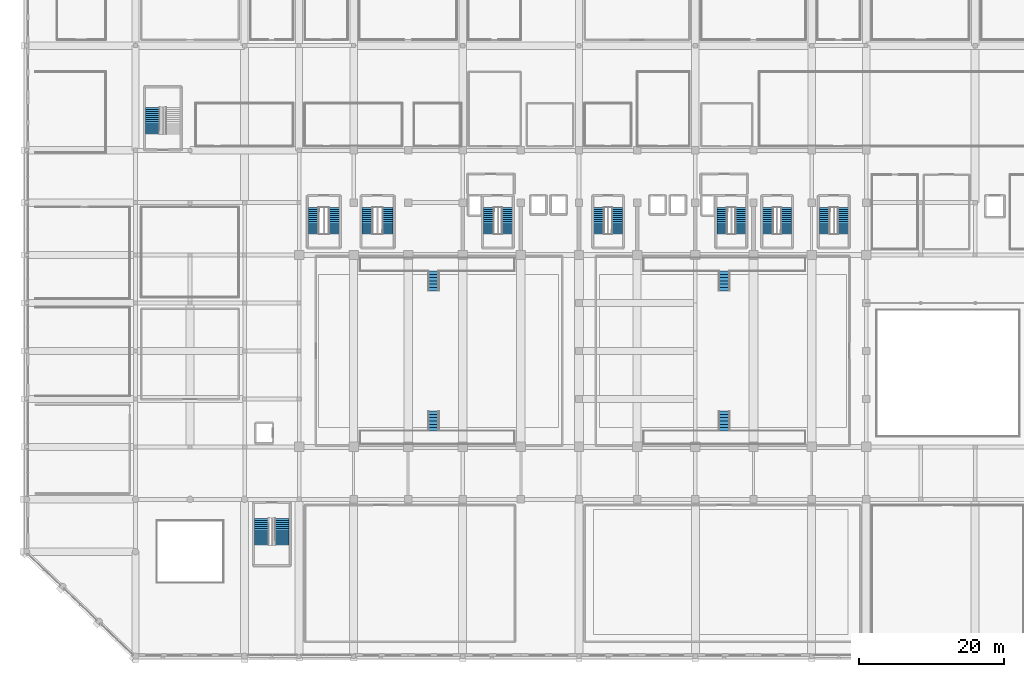
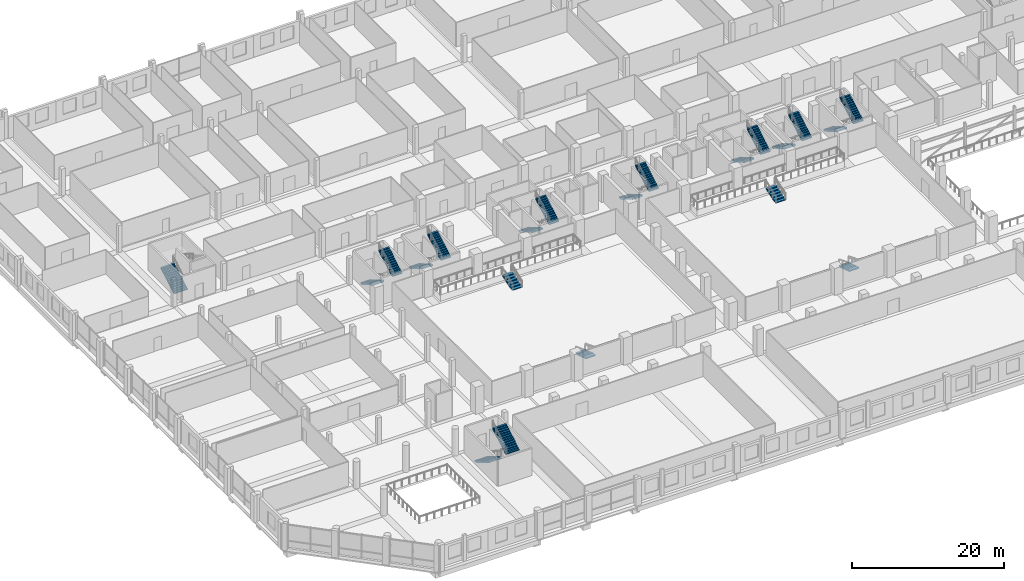
# One storey, part 56 of 68: 21 stair flights, 13 elements without a shape of their own.
"""IFC4 building model written with IfcOpenShell, lengths in metres."""

from ifc_helpers import new_model, si_unit, direction, frame, origin, place, context, subcontext, project, spatial, polyline, outline, extrude, material, type_object, element, aggregate, save


model = new_model("IFC4")

# Units and contexts
model_context = context("Model", 3, precision=1e-05, world=origin(), true_north=direction((0.0, 1.0)))
body_context = subcontext(model_context, "Body", "Model", "MODEL_VIEW")
ifc_project = project(units=[si_unit("LENGTHUNIT", "METRE"), si_unit("AREAUNIT", "SQUARE_METRE"), si_unit("VOLUMEUNIT", "CUBIC_METRE"), si_unit("PLANEANGLEUNIT", "RADIAN"), si_unit("MASSUNIT", "GRAM", prefix="KILO")], contexts=[model_context])

# Site, building, storey
site_placement = place(None, origin())
site = spatial("IfcSite", under=ifc_project, at=site_placement, CompositionType="ELEMENT")
building_placement = place(site_placement, origin())
building = spatial("IfcBuilding", under=site, at=building_placement, Name="Akrevak Sports Hall", CompositionType="ELEMENT")
storey_placement = place(building_placement, frame((0.0, 0.0, 9.39990234375)))
storey = spatial("IfcBuildingStorey", under=building, at=storey_placement, Name="L02", CompositionType="ELEMENT", Elevation=9.39990234375)

# Stair, stair flights
ifc_material = material(Name="Concrete C40/50", Category="concrete")
stair_type_1 = type_object("IfcStairType", Name="ARC-STR-DOG-460", PredefinedType="HALF_TURN_STAIR", material=ifc_material)
stair_1_placement = place(storey_placement, origin())
stair_1 = element("IfcStair", 1, at=stair_1_placement, inside=storey, type_object=stair_type_1, Name="Protected Exit Stair ST1 (L02 to L03)", PredefinedType="HALF_TURN_STAIR")
stair_flight_type_1 = type_object("IfcStairFlightType", Name="ARC-FLT-165-164", PredefinedType="STRAIGHT", material=ifc_material)
stair_flight_1_placement = place(storey_placement, frame((63.610107421875, 61.735107421875, 0.0), z_axis=(0.0, 0.0, 1.0), x_axis=(0.0, -1.0, 0.0)))
stair_flight_1 = element("IfcStairFlight", 2, at=stair_flight_1_placement, type_object=stair_flight_type_1, Name="Stair ST1 Flight 1 (L02)", NumberOfRisers=14, NumberOfTreads=13, PredefinedType="STRAIGHT", RiserHeight=0.164286, TreadLength=0.28, context=body_context, shape_type="SweptSolid", body=[
    extrude(outline(polyline([(0.0, 0.0), (0.0, 0.164306640625), (0.280029296875, 0.164306640625), (0.280029296875, 0.32861328125), (0.56005859375, 0.32861328125), (0.56005859375, 0.492919921875), (0.840087890625, 0.492919921875), (0.840087890625, 0.6572265625), (1.1201171875, 0.6572265625), (1.1201171875, 0.821533203125), (1.39990234375, 0.821533203125), (1.39990234375, 0.985595703125), (1.679931640625, 0.985595703125), (1.679931640625, 1.14990234375), (1.9599609375, 1.14990234375), (1.9599609375, 1.314208984375), (2.239990234375, 1.314208984375), (2.239990234375, 1.478515625), (2.52001953125, 1.478515625), (2.52001953125, 1.642822265625), (2.800048828125, 1.642822265625), (2.800048828125, 1.80712890625), (3.080078125, 1.80712890625), (3.080078125, 1.971435546875), (3.360107421875, 1.971435546875), (3.360107421875, 2.1357421875), (3.639892578125, 2.1357421875), (3.639892578125, 2.300048828125), (3.639892578125, 1.90380859375), (0.39501953125, 0.0), (0.0, 0.0)])), frame((0.0, 0.75, 0.0), z_axis=(0.0, -1.0, 0.0), x_axis=(1.0, 0.0, 0.0)), (0.0, 0.0, 1.0), 1.5),
])
stair_flight_2_placement = place(storey_placement, frame((66.090087890625, 58.094970703125, 2.300048828125), z_axis=(0.0, 0.0, 1.0), x_axis=(0.0, 1.0, 0.0)))
stair_flight_2 = element("IfcStairFlight", 3, at=stair_flight_2_placement, type_object=stair_flight_type_1, Name="Stair ST1 Flight 2 (L02)", NumberOfRisers=14, NumberOfTreads=13, PredefinedType="STRAIGHT", RiserHeight=0.164286, TreadLength=0.28, context=body_context, shape_type="SweptSolid", body=[
    extrude(outline(polyline([(0.0, 0.0), (0.0, 0.164306640625), (0.280029296875, 0.164306640625), (0.280029296875, 0.32861328125), (0.56005859375, 0.32861328125), (0.56005859375, 0.492919921875), (0.840087890625, 0.492919921875), (0.840087890625, 0.6572265625), (1.1201171875, 0.6572265625), (1.1201171875, 0.821533203125), (1.39990234375, 0.821533203125), (1.39990234375, 0.985595703125), (1.679931640625, 0.985595703125), (1.679931640625, 1.14990234375), (1.9599609375, 1.14990234375), (1.9599609375, 1.314208984375), (2.239990234375, 1.314208984375), (2.239990234375, 1.478515625), (2.52001953125, 1.478515625), (2.52001953125, 1.642822265625), (2.800048828125, 1.642822265625), (2.800048828125, 1.80712890625), (3.080078125, 1.80712890625), (3.080078125, 1.971435546875), (3.360107421875, 1.971435546875), (3.360107421875, 2.1357421875), (3.639892578125, 2.1357421875), (3.639892578125, 2.300048828125), (3.639892578125, 1.90380859375), (0.39501953125, 0.0), (0.0, 0.0)])), frame((0.0, 0.75, 0.0), z_axis=(0.0, -1.0, 0.0), x_axis=(1.0, 0.0, 0.0)), (0.0, 0.0, 1.0), 1.5),
])
aggregate(stair_1, [stair_flight_1, stair_flight_2])

stair_2_placement = place(storey_placement, origin())
stair_2 = element("IfcStair", 4, at=stair_2_placement, inside=storey, type_object=stair_type_1, Name="Protected Exit Stair ST2 (L02 to L03)", PredefinedType="HALF_TURN_STAIR")
stair_flight_3_placement = place(storey_placement, frame((95.7099609375, 61.735107421875, 0.0), z_axis=(0.0, 0.0, 1.0), x_axis=(0.0, -1.0, 0.0)))
stair_flight_3 = element("IfcStairFlight", 5, at=stair_flight_3_placement, type_object=stair_flight_type_1, Name="Stair ST2 Flight 1 (L02)", NumberOfRisers=14, NumberOfTreads=13, PredefinedType="STRAIGHT", RiserHeight=0.164286, TreadLength=0.28, context=body_context, shape_type="SweptSolid", body=[
    extrude(outline(polyline([(0.0, 0.0), (0.0, 0.164306640625), (0.280029296875, 0.164306640625), (0.280029296875, 0.32861328125), (0.56005859375, 0.32861328125), (0.56005859375, 0.492919921875), (0.840087890625, 0.492919921875), (0.840087890625, 0.6572265625), (1.1201171875, 0.6572265625), (1.1201171875, 0.821533203125), (1.39990234375, 0.821533203125), (1.39990234375, 0.985595703125), (1.679931640625, 0.985595703125), (1.679931640625, 1.14990234375), (1.9599609375, 1.14990234375), (1.9599609375, 1.314208984375), (2.239990234375, 1.314208984375), (2.239990234375, 1.478515625), (2.52001953125, 1.478515625), (2.52001953125, 1.642822265625), (2.800048828125, 1.642822265625), (2.800048828125, 1.80712890625), (3.080078125, 1.80712890625), (3.080078125, 1.971435546875), (3.360107421875, 1.971435546875), (3.360107421875, 2.1357421875), (3.639892578125, 2.1357421875), (3.639892578125, 2.300048828125), (3.639892578125, 1.90380859375), (0.39501953125, 0.0), (0.0, 0.0)])), frame((0.0, 0.75, 0.0), z_axis=(0.0, -1.0, 0.0), x_axis=(1.0, 0.0, 0.0)), (0.0, 0.0, 1.0), 1.5),
])
stair_flight_4_placement = place(storey_placement, frame((98.18994140625, 58.094970703125, 2.300048828125), z_axis=(0.0, 0.0, 1.0), x_axis=(0.0, 1.0, 0.0)))
stair_flight_4 = element("IfcStairFlight", 6, at=stair_flight_4_placement, type_object=stair_flight_type_1, Name="Stair ST2 Flight 2 (L02)", NumberOfRisers=14, NumberOfTreads=13, PredefinedType="STRAIGHT", RiserHeight=0.164286, TreadLength=0.28, context=body_context, shape_type="SweptSolid", body=[
    extrude(outline(polyline([(0.0, 0.0), (0.0, 0.164306640625), (0.280029296875, 0.164306640625), (0.280029296875, 0.32861328125), (0.56005859375, 0.32861328125), (0.56005859375, 0.492919921875), (0.840087890625, 0.492919921875), (0.840087890625, 0.6572265625), (1.1201171875, 0.6572265625), (1.1201171875, 0.821533203125), (1.39990234375, 0.821533203125), (1.39990234375, 0.985595703125), (1.679931640625, 0.985595703125), (1.679931640625, 1.14990234375), (1.9599609375, 1.14990234375), (1.9599609375, 1.314208984375), (2.239990234375, 1.314208984375), (2.239990234375, 1.478515625), (2.52001953125, 1.478515625), (2.52001953125, 1.642822265625), (2.800048828125, 1.642822265625), (2.800048828125, 1.80712890625), (3.080078125, 1.80712890625), (3.080078125, 1.971435546875), (3.360107421875, 1.971435546875), (3.360107421875, 2.1357421875), (3.639892578125, 2.1357421875), (3.639892578125, 2.300048828125), (3.639892578125, 1.90380859375), (0.39501953125, 0.0), (0.0, 0.0)])), frame((0.0, 0.75, 0.0), z_axis=(0.0, -1.0, 0.0), x_axis=(1.0, 0.0, 0.0)), (0.0, 0.0, 1.0), 1.5),
])
aggregate(stair_2, [stair_flight_3, stair_flight_4])

stair_3_placement = place(storey_placement, origin())
stair_3 = element("IfcStair", 7, at=stair_3_placement, inside=storey, type_object=stair_type_1, Name="Protected Exit Stair ST3 (L02 to L03)", PredefinedType="HALF_TURN_STAIR")
stair_flight_5_placement = place(storey_placement, frame((78.760009765625, 61.735107421875, 0.0), z_axis=(0.0, 0.0, 1.0), x_axis=(0.0, -1.0, 0.0)))
stair_flight_5 = element("IfcStairFlight", 8, at=stair_flight_5_placement, type_object=stair_flight_type_1, Name="Stair ST3 Flight 1 (L02)", NumberOfRisers=14, NumberOfTreads=13, PredefinedType="STRAIGHT", RiserHeight=0.164286, TreadLength=0.28, context=body_context, shape_type="SweptSolid", body=[
    extrude(outline(polyline([(0.0, 0.0), (0.0, 0.164306640625), (0.280029296875, 0.164306640625), (0.280029296875, 0.32861328125), (0.56005859375, 0.32861328125), (0.56005859375, 0.492919921875), (0.840087890625, 0.492919921875), (0.840087890625, 0.6572265625), (1.1201171875, 0.6572265625), (1.1201171875, 0.821533203125), (1.39990234375, 0.821533203125), (1.39990234375, 0.985595703125), (1.679931640625, 0.985595703125), (1.679931640625, 1.14990234375), (1.9599609375, 1.14990234375), (1.9599609375, 1.314208984375), (2.239990234375, 1.314208984375), (2.239990234375, 1.478515625), (2.52001953125, 1.478515625), (2.52001953125, 1.642822265625), (2.800048828125, 1.642822265625), (2.800048828125, 1.80712890625), (3.080078125, 1.80712890625), (3.080078125, 1.971435546875), (3.360107421875, 1.971435546875), (3.360107421875, 2.1357421875), (3.639892578125, 2.1357421875), (3.639892578125, 2.300048828125), (3.639892578125, 1.90380859375), (0.39501953125, 0.0), (0.0, 0.0)])), frame((0.0, 0.75, 0.0), z_axis=(0.0, -1.0, 0.0), x_axis=(1.0, 0.0, 0.0)), (0.0, 0.0, 1.0), 1.5),
])
stair_flight_6_placement = place(storey_placement, frame((81.239990234375, 58.094970703125, 2.300048828125), z_axis=(0.0, 0.0, 1.0), x_axis=(0.0, 1.0, 0.0)))
stair_flight_6 = element("IfcStairFlight", 9, at=stair_flight_6_placement, type_object=stair_flight_type_1, Name="Stair ST3 Flight 2 (L02)", NumberOfRisers=14, NumberOfTreads=13, PredefinedType="STRAIGHT", RiserHeight=0.164286, TreadLength=0.28, context=body_context, shape_type="SweptSolid", body=[
    extrude(outline(polyline([(0.0, 0.0), (0.0, 0.164306640625), (0.280029296875, 0.164306640625), (0.280029296875, 0.32861328125), (0.56005859375, 0.32861328125), (0.56005859375, 0.492919921875), (0.840087890625, 0.492919921875), (0.840087890625, 0.6572265625), (1.1201171875, 0.6572265625), (1.1201171875, 0.821533203125), (1.39990234375, 0.821533203125), (1.39990234375, 0.985595703125), (1.679931640625, 0.985595703125), (1.679931640625, 1.14990234375), (1.9599609375, 1.14990234375), (1.9599609375, 1.314208984375), (2.239990234375, 1.314208984375), (2.239990234375, 1.478515625), (2.52001953125, 1.478515625), (2.52001953125, 1.642822265625), (2.800048828125, 1.642822265625), (2.800048828125, 1.80712890625), (3.080078125, 1.80712890625), (3.080078125, 1.971435546875), (3.360107421875, 1.971435546875), (3.360107421875, 2.1357421875), (3.639892578125, 2.1357421875), (3.639892578125, 2.300048828125), (3.639892578125, 1.90380859375), (0.39501953125, 0.0), (0.0, 0.0)])), frame((0.0, 0.75, 0.0), z_axis=(0.0, -1.0, 0.0), x_axis=(1.0, 0.0, 0.0)), (0.0, 0.0, 1.0), 1.5),
])
aggregate(stair_3, [stair_flight_5, stair_flight_6])

stair_4_placement = place(storey_placement, origin())
stair_4 = element("IfcStair", 10, at=stair_4_placement, inside=storey, type_object=stair_type_1, Name="East Wing Exit Stair ST10 (L02 to L03)", PredefinedType="HALF_TURN_STAIR")
stair_flight_7_placement = place(storey_placement, frame((102.010009765625, 61.735107421875, 0.0), z_axis=(0.0, 0.0, 1.0), x_axis=(0.0, -1.0, 0.0)))
stair_flight_7 = element("IfcStairFlight", 11, at=stair_flight_7_placement, type_object=stair_flight_type_1, Name="Stair ST10 Flight 1 (L02)", NumberOfRisers=14, NumberOfTreads=13, PredefinedType="STRAIGHT", RiserHeight=0.164286, TreadLength=0.28, context=body_context, shape_type="SweptSolid", body=[
    extrude(outline(polyline([(0.0, 0.0), (0.0, 0.164306640625), (0.280029296875, 0.164306640625), (0.280029296875, 0.32861328125), (0.56005859375, 0.32861328125), (0.56005859375, 0.492919921875), (0.840087890625, 0.492919921875), (0.840087890625, 0.6572265625), (1.1201171875, 0.6572265625), (1.1201171875, 0.821533203125), (1.39990234375, 0.821533203125), (1.39990234375, 0.985595703125), (1.679931640625, 0.985595703125), (1.679931640625, 1.14990234375), (1.9599609375, 1.14990234375), (1.9599609375, 1.314208984375), (2.239990234375, 1.314208984375), (2.239990234375, 1.478515625), (2.52001953125, 1.478515625), (2.52001953125, 1.642822265625), (2.800048828125, 1.642822265625), (2.800048828125, 1.80712890625), (3.080078125, 1.80712890625), (3.080078125, 1.971435546875), (3.360107421875, 1.971435546875), (3.360107421875, 2.1357421875), (3.639892578125, 2.1357421875), (3.639892578125, 2.300048828125), (3.639892578125, 1.90380859375), (0.39501953125, 0.0), (0.0, 0.0)])), frame((0.0, 0.75, 0.0), z_axis=(0.0, -1.0, 0.0), x_axis=(1.0, 0.0, 0.0)), (0.0, 0.0, 1.0), 1.5),
])
stair_flight_8_placement = place(storey_placement, frame((104.489990234375, 58.094970703125, 2.300048828125), z_axis=(0.0, 0.0, 1.0), x_axis=(0.0, 1.0, 0.0)))
stair_flight_8 = element("IfcStairFlight", 12, at=stair_flight_8_placement, type_object=stair_flight_type_1, Name="Stair ST10 Flight 2 (L02)", NumberOfRisers=14, NumberOfTreads=13, PredefinedType="STRAIGHT", RiserHeight=0.164286, TreadLength=0.28, context=body_context, shape_type="SweptSolid", body=[
    extrude(outline(polyline([(0.0, 0.0), (0.0, 0.164306640625), (0.280029296875, 0.164306640625), (0.280029296875, 0.32861328125), (0.56005859375, 0.32861328125), (0.56005859375, 0.492919921875), (0.840087890625, 0.492919921875), (0.840087890625, 0.6572265625), (1.1201171875, 0.6572265625), (1.1201171875, 0.821533203125), (1.39990234375, 0.821533203125), (1.39990234375, 0.985595703125), (1.679931640625, 0.985595703125), (1.679931640625, 1.14990234375), (1.9599609375, 1.14990234375), (1.9599609375, 1.314208984375), (2.239990234375, 1.314208984375), (2.239990234375, 1.478515625), (2.52001953125, 1.478515625), (2.52001953125, 1.642822265625), (2.800048828125, 1.642822265625), (2.800048828125, 1.80712890625), (3.080078125, 1.80712890625), (3.080078125, 1.971435546875), (3.360107421875, 1.971435546875), (3.360107421875, 2.1357421875), (3.639892578125, 2.1357421875), (3.639892578125, 2.300048828125), (3.639892578125, 1.90380859375), (0.39501953125, 0.0), (0.0, 0.0)])), frame((0.0, 0.75, 0.0), z_axis=(0.0, -1.0, 0.0), x_axis=(1.0, 0.0, 0.0)), (0.0, 0.0, 1.0), 1.5),
])
aggregate(stair_4, [stair_flight_7, stair_flight_8])

stair_5_placement = place(storey_placement, origin())
stair_5 = element("IfcStair", 13, at=stair_5_placement, inside=storey, type_object=stair_type_1, Name="East Transfer Exit Stair ST11 (L02 to L03)", PredefinedType="HALF_TURN_STAIR")
stair_flight_9_placement = place(storey_placement, frame((109.81005859375, 61.735107421875, 0.0), z_axis=(0.0, 0.0, 1.0), x_axis=(0.0, -1.0, 0.0)))
stair_flight_9 = element("IfcStairFlight", 14, at=stair_flight_9_placement, type_object=stair_flight_type_1, Name="Stair ST11 Flight 1 (L02)", NumberOfRisers=14, NumberOfTreads=13, PredefinedType="STRAIGHT", RiserHeight=0.164286, TreadLength=0.28, context=body_context, shape_type="SweptSolid", body=[
    extrude(outline(polyline([(0.0, 0.0), (0.0, 0.164306640625), (0.280029296875, 0.164306640625), (0.280029296875, 0.32861328125), (0.56005859375, 0.32861328125), (0.56005859375, 0.492919921875), (0.840087890625, 0.492919921875), (0.840087890625, 0.6572265625), (1.1201171875, 0.6572265625), (1.1201171875, 0.821533203125), (1.39990234375, 0.821533203125), (1.39990234375, 0.985595703125), (1.679931640625, 0.985595703125), (1.679931640625, 1.14990234375), (1.9599609375, 1.14990234375), (1.9599609375, 1.314208984375), (2.239990234375, 1.314208984375), (2.239990234375, 1.478515625), (2.52001953125, 1.478515625), (2.52001953125, 1.642822265625), (2.800048828125, 1.642822265625), (2.800048828125, 1.80712890625), (3.080078125, 1.80712890625), (3.080078125, 1.971435546875), (3.360107421875, 1.971435546875), (3.360107421875, 2.1357421875), (3.639892578125, 2.1357421875), (3.639892578125, 2.300048828125), (3.639892578125, 1.90380859375), (0.39501953125, 0.0), (0.0, 0.0)])), frame((0.0, 0.75, 0.0), z_axis=(0.0, -1.0, 0.0), x_axis=(1.0, 0.0, 0.0)), (0.0, 0.0, 1.0), 1.5),
])
stair_flight_10_placement = place(storey_placement, frame((112.2900390625, 58.094970703125, 2.300048828125), z_axis=(0.0, 0.0, 1.0), x_axis=(0.0, 1.0, 0.0)))
stair_flight_10 = element("IfcStairFlight", 15, at=stair_flight_10_placement, type_object=stair_flight_type_1, Name="Stair ST11 Flight 2 (L02)", NumberOfRisers=14, NumberOfTreads=13, PredefinedType="STRAIGHT", RiserHeight=0.164286, TreadLength=0.28, context=body_context, shape_type="SweptSolid", body=[
    extrude(outline(polyline([(0.0, 0.0), (0.0, 0.164306640625), (0.280029296875, 0.164306640625), (0.280029296875, 0.32861328125), (0.56005859375, 0.32861328125), (0.56005859375, 0.492919921875), (0.840087890625, 0.492919921875), (0.840087890625, 0.6572265625), (1.1201171875, 0.6572265625), (1.1201171875, 0.821533203125), (1.39990234375, 0.821533203125), (1.39990234375, 0.985595703125), (1.679931640625, 0.985595703125), (1.679931640625, 1.14990234375), (1.9599609375, 1.14990234375), (1.9599609375, 1.314208984375), (2.239990234375, 1.314208984375), (2.239990234375, 1.478515625), (2.52001953125, 1.478515625), (2.52001953125, 1.642822265625), (2.800048828125, 1.642822265625), (2.800048828125, 1.80712890625), (3.080078125, 1.80712890625), (3.080078125, 1.971435546875), (3.360107421875, 1.971435546875), (3.360107421875, 2.1357421875), (3.639892578125, 2.1357421875), (3.639892578125, 2.300048828125), (3.639892578125, 1.90380859375), (0.39501953125, 0.0), (0.0, 0.0)])), frame((0.0, 0.75, 0.0), z_axis=(0.0, -1.0, 0.0), x_axis=(1.0, 0.0, 0.0)), (0.0, 0.0, 1.0), 1.5),
])
aggregate(stair_5, [stair_flight_9, stair_flight_10])

stair_type_2 = type_object("IfcStairType", Name="ARC-STR-MDOG-460", PredefinedType="HALF_TURN_STAIR", material=ifc_material)
stair_6_placement = place(storey_placement, origin())
stair_6 = element("IfcStair", 16, at=stair_6_placement, inside=storey, type_object=stair_type_2, Name="Protected Exit Stair ST4 (L02 to L03)", PredefinedType="HALF_TURN_STAIR")
stair_flight_type_2 = type_object("IfcStairFlightType", Name="ARC-FLT-200-164", PredefinedType="STRAIGHT", material=ifc_material)
stair_flight_11_placement = place(storey_placement, frame((46.9150390625, 61.735107421875, 0.0), z_axis=(0.0, 0.0, 1.0), x_axis=(0.0, -1.0, 0.0)))
stair_flight_11 = element("IfcStairFlight", 17, at=stair_flight_11_placement, type_object=stair_flight_type_2, Name="Stair ST4 Flight 1 (L02)", NumberOfRisers=14, NumberOfTreads=13, PredefinedType="STRAIGHT", RiserHeight=0.164286, TreadLength=0.28, context=body_context, shape_type="SweptSolid", body=[
    extrude(outline(polyline([(0.0, 0.0), (0.0, 0.164306640625), (0.280029296875, 0.164306640625), (0.280029296875, 0.32861328125), (0.56005859375, 0.32861328125), (0.56005859375, 0.492919921875), (0.840087890625, 0.492919921875), (0.840087890625, 0.6572265625), (1.1201171875, 0.6572265625), (1.1201171875, 0.821533203125), (1.39990234375, 0.821533203125), (1.39990234375, 0.985595703125), (1.679931640625, 0.985595703125), (1.679931640625, 1.14990234375), (1.9599609375, 1.14990234375), (1.9599609375, 1.314208984375), (2.239990234375, 1.314208984375), (2.239990234375, 1.478515625), (2.52001953125, 1.478515625), (2.52001953125, 1.642822265625), (2.800048828125, 1.642822265625), (2.800048828125, 1.80712890625), (3.080078125, 1.80712890625), (3.080078125, 1.971435546875), (3.360107421875, 1.971435546875), (3.360107421875, 2.1357421875), (3.639892578125, 2.1357421875), (3.639892578125, 2.300048828125), (3.639892578125, 1.90380859375), (0.39501953125, 0.0), (0.0, 0.0)])), frame((0.0, 0.7548828125, 0.0), z_axis=(0.0, -1.0, 0.0), x_axis=(1.0, 0.0, 0.0)), (0.0, 0.0, 1.0), 1.510009765625),
])
stair_flight_12_placement = place(storey_placement, frame((49.68505859375, 58.094970703125, 2.300048828125), z_axis=(0.0, 0.0, 1.0), x_axis=(0.0, 1.0, 0.0)))
stair_flight_12 = element("IfcStairFlight", 18, at=stair_flight_12_placement, type_object=stair_flight_type_2, Name="Stair ST4 Flight 2 (L02)", NumberOfRisers=14, NumberOfTreads=13, PredefinedType="STRAIGHT", RiserHeight=0.164286, TreadLength=0.28, context=body_context, shape_type="SweptSolid", body=[
    extrude(outline(polyline([(0.0, 0.0), (0.0, 0.164306640625), (0.280029296875, 0.164306640625), (0.280029296875, 0.32861328125), (0.56005859375, 0.32861328125), (0.56005859375, 0.492919921875), (0.840087890625, 0.492919921875), (0.840087890625, 0.6572265625), (1.1201171875, 0.6572265625), (1.1201171875, 0.821533203125), (1.39990234375, 0.821533203125), (1.39990234375, 0.985595703125), (1.679931640625, 0.985595703125), (1.679931640625, 1.14990234375), (1.9599609375, 1.14990234375), (1.9599609375, 1.314208984375), (2.239990234375, 1.314208984375), (2.239990234375, 1.478515625), (2.52001953125, 1.478515625), (2.52001953125, 1.642822265625), (2.800048828125, 1.642822265625), (2.800048828125, 1.80712890625), (3.080078125, 1.80712890625), (3.080078125, 1.971435546875), (3.360107421875, 1.971435546875), (3.360107421875, 2.1357421875), (3.639892578125, 2.1357421875), (3.639892578125, 2.300048828125), (3.639892578125, 1.90380859375), (0.39501953125, 0.0), (0.0, 0.0)])), frame((0.0, 0.7548828125, 0.0), z_axis=(0.0, -1.0, 0.0), x_axis=(1.0, 0.0, 0.0)), (0.0, 0.0, 1.0), 1.510009765625),
])
aggregate(stair_6, [stair_flight_11, stair_flight_12])

stair_7_placement = place(storey_placement, origin())
stair_7 = element("IfcStair", 19, at=stair_7_placement, inside=storey, type_object=stair_type_2, Name="Transfer West Exit Stair ST9 (L02 to L03)", PredefinedType="HALF_TURN_STAIR")
stair_flight_13_placement = place(storey_placement, frame((39.514892578125, 61.735107421875, 0.0), z_axis=(0.0, 0.0, 1.0), x_axis=(0.0, -1.0, 0.0)))
stair_flight_13 = element("IfcStairFlight", 20, at=stair_flight_13_placement, type_object=stair_flight_type_2, Name="Stair ST9 Flight 1 (L02)", NumberOfRisers=14, NumberOfTreads=13, PredefinedType="STRAIGHT", RiserHeight=0.164286, TreadLength=0.28, context=body_context, shape_type="SweptSolid", body=[
    extrude(outline(polyline([(0.0, 0.0), (0.0, 0.164306640625), (0.280029296875, 0.164306640625), (0.280029296875, 0.32861328125), (0.56005859375, 0.32861328125), (0.56005859375, 0.492919921875), (0.840087890625, 0.492919921875), (0.840087890625, 0.6572265625), (1.1201171875, 0.6572265625), (1.1201171875, 0.821533203125), (1.39990234375, 0.821533203125), (1.39990234375, 0.985595703125), (1.679931640625, 0.985595703125), (1.679931640625, 1.14990234375), (1.9599609375, 1.14990234375), (1.9599609375, 1.314208984375), (2.239990234375, 1.314208984375), (2.239990234375, 1.478515625), (2.52001953125, 1.478515625), (2.52001953125, 1.642822265625), (2.800048828125, 1.642822265625), (2.800048828125, 1.80712890625), (3.080078125, 1.80712890625), (3.080078125, 1.971435546875), (3.360107421875, 1.971435546875), (3.360107421875, 2.1357421875), (3.639892578125, 2.1357421875), (3.639892578125, 2.300048828125), (3.639892578125, 1.90380859375), (0.39501953125, 0.0), (0.0, 0.0)])), frame((0.0, 0.7548828125, 0.0), z_axis=(0.0, -1.0, 0.0), x_axis=(1.0, 0.0, 0.0)), (0.0, 0.0, 1.0), 1.510009765625),
])
stair_flight_14_placement = place(storey_placement, frame((42.284912109375, 58.094970703125, 2.300048828125), z_axis=(0.0, 0.0, 1.0), x_axis=(0.0, 1.0, 0.0)))
stair_flight_14 = element("IfcStairFlight", 21, at=stair_flight_14_placement, type_object=stair_flight_type_2, Name="Stair ST9 Flight 2 (L02)", NumberOfRisers=14, NumberOfTreads=13, PredefinedType="STRAIGHT", RiserHeight=0.164286, TreadLength=0.28, context=body_context, shape_type="SweptSolid", body=[
    extrude(outline(polyline([(0.0, 0.0), (0.0, 0.164306640625), (0.280029296875, 0.164306640625), (0.280029296875, 0.32861328125), (0.56005859375, 0.32861328125), (0.56005859375, 0.492919921875), (0.840087890625, 0.492919921875), (0.840087890625, 0.6572265625), (1.1201171875, 0.6572265625), (1.1201171875, 0.821533203125), (1.39990234375, 0.821533203125), (1.39990234375, 0.985595703125), (1.679931640625, 0.985595703125), (1.679931640625, 1.14990234375), (1.9599609375, 1.14990234375), (1.9599609375, 1.314208984375), (2.239990234375, 1.314208984375), (2.239990234375, 1.478515625), (2.52001953125, 1.478515625), (2.52001953125, 1.642822265625), (2.800048828125, 1.642822265625), (2.800048828125, 1.80712890625), (3.080078125, 1.80712890625), (3.080078125, 1.971435546875), (3.360107421875, 1.971435546875), (3.360107421875, 2.1357421875), (3.639892578125, 2.1357421875), (3.639892578125, 2.300048828125), (3.639892578125, 1.90380859375), (0.39501953125, 0.0), (0.0, 0.0)])), frame((0.0, 0.7548828125, 0.0), z_axis=(0.0, -1.0, 0.0), x_axis=(1.0, 0.0, 0.0)), (0.0, 0.0, 1.0), 1.510009765625),
])
aggregate(stair_7, [stair_flight_13, stair_flight_14])

stair_type_3 = type_object("IfcStairType", Name="ARC-STR-PDOG-460", PredefinedType="HALF_TURN_STAIR", material=ifc_material)
stair_8_placement = place(storey_placement, origin())
stair_8 = element("IfcStair", 22, at=stair_8_placement, inside=storey, type_object=stair_type_3, Name="Podium SW Exit Stair ST5 (L02 to L03)", PredefinedType="HALF_TURN_STAIR")
stair_flight_type_3 = type_object("IfcStairFlightType", Name="ARC-FLT-225-164", PredefinedType="STRAIGHT", material=ifc_material)
stair_flight_15_placement = place(storey_placement, frame((32.385009765625, 18.949951171875, 0.0), z_axis=(0.0, 0.0, 1.0), x_axis=(0.0, -1.0, 0.0)))
stair_flight_15 = element("IfcStairFlight", 23, at=stair_flight_15_placement, type_object=stair_flight_type_3, Name="Stair ST5 Flight 1 (L02)", NumberOfRisers=14, NumberOfTreads=13, PredefinedType="STRAIGHT", RiserHeight=0.164286, TreadLength=0.28, context=body_context, shape_type="SweptSolid", body=[
    extrude(outline(polyline([(0.0, 0.0), (0.0, 0.164306640625), (0.280029296875, 0.164306640625), (0.280029296875, 0.32861328125), (0.56005859375, 0.32861328125), (0.56005859375, 0.492919921875), (0.840087890625, 0.492919921875), (0.840087890625, 0.6572265625), (1.1201171875, 0.6572265625), (1.1201171875, 0.821533203125), (1.39990234375, 0.821533203125), (1.39990234375, 0.985595703125), (1.679931640625, 0.985595703125), (1.679931640625, 1.14990234375), (1.9599609375, 1.14990234375), (1.9599609375, 1.314208984375), (2.239990234375, 1.314208984375), (2.239990234375, 1.478515625), (2.52001953125, 1.478515625), (2.52001953125, 1.642822265625), (2.800048828125, 1.642822265625), (2.800048828125, 1.80712890625), (3.080078125, 1.80712890625), (3.080078125, 1.971435546875), (3.360107421875, 1.971435546875), (3.360107421875, 2.1357421875), (3.639892578125, 2.1357421875), (3.639892578125, 2.300048828125), (3.639892578125, 1.90380859375), (0.39501953125, 0.0), (0.0, 0.0)])), frame((0.0, 1.02490234375, 0.0), z_axis=(0.0, -1.0, 0.0), x_axis=(1.0, 0.0, 0.0)), (0.0, 0.0, 1.0), 2.050048828125),
])
stair_flight_16_placement = place(storey_placement, frame((35.114990234375, 15.31005859375, 2.300048828125), z_axis=(0.0, 0.0, 1.0), x_axis=(0.0, 1.0, 0.0)))
stair_flight_16 = element("IfcStairFlight", 24, at=stair_flight_16_placement, type_object=stair_flight_type_3, Name="Stair ST5 Flight 2 (L02)", NumberOfRisers=14, NumberOfTreads=13, PredefinedType="STRAIGHT", RiserHeight=0.164286, TreadLength=0.28, context=body_context, shape_type="SweptSolid", body=[
    extrude(outline(polyline([(0.0, 0.0), (0.0, 0.164306640625), (0.280029296875, 0.164306640625), (0.280029296875, 0.32861328125), (0.56005859375, 0.32861328125), (0.56005859375, 0.492919921875), (0.840087890625, 0.492919921875), (0.840087890625, 0.6572265625), (1.1201171875, 0.6572265625), (1.1201171875, 0.821533203125), (1.39990234375, 0.821533203125), (1.39990234375, 0.985595703125), (1.679931640625, 0.985595703125), (1.679931640625, 1.14990234375), (1.9599609375, 1.14990234375), (1.9599609375, 1.314208984375), (2.239990234375, 1.314208984375), (2.239990234375, 1.478515625), (2.52001953125, 1.478515625), (2.52001953125, 1.642822265625), (2.800048828125, 1.642822265625), (2.800048828125, 1.80712890625), (3.080078125, 1.80712890625), (3.080078125, 1.971435546875), (3.360107421875, 1.971435546875), (3.360107421875, 2.1357421875), (3.639892578125, 2.1357421875), (3.639892578125, 2.300048828125), (3.639892578125, 1.90380859375), (0.39501953125, 0.0), (0.0, 0.0)])), frame((0.0, 1.02490234375, 0.0), z_axis=(0.0, -1.0, 0.0), x_axis=(1.0, 0.0, 0.0)), (0.0, 0.0, 1.0), 2.050048828125),
])
aggregate(stair_8, [stair_flight_15, stair_flight_16])

# Stair, stair flight
stair_9_placement = place(storey_placement, origin())
stair_9 = element("IfcStair", 25, at=stair_9_placement, inside=storey, type_object=stair_type_3, Name="Podium NW Exit Stair ST6 (L02 to L03)", PredefinedType="HALF_TURN_STAIR")
stair_flight_17_placement = place(storey_placement, frame((17.385009765625, 71.85009765625, 0.0), z_axis=(0.0, 0.0, 1.0), x_axis=(0.0, 1.0, 0.0)))
stair_flight_17 = element("IfcStairFlight", 26, at=stair_flight_17_placement, type_object=stair_flight_type_3, Name="Stair ST6 Flight 1 (L02)", NumberOfRisers=14, NumberOfTreads=13, PredefinedType="STRAIGHT", RiserHeight=0.164286, TreadLength=0.28, context=body_context, shape_type="SweptSolid", body=[
    extrude(outline(polyline([(0.0, 0.0), (0.0, 0.164306640625), (0.280029296875, 0.164306640625), (0.280029296875, 0.32861328125), (0.56005859375, 0.32861328125), (0.56005859375, 0.492919921875), (0.840087890625, 0.492919921875), (0.840087890625, 0.6572265625), (1.1201171875, 0.6572265625), (1.1201171875, 0.821533203125), (1.39990234375, 0.821533203125), (1.39990234375, 0.985595703125), (1.679931640625, 0.985595703125), (1.679931640625, 1.14990234375), (1.9599609375, 1.14990234375), (1.9599609375, 1.314208984375), (2.239990234375, 1.314208984375), (2.239990234375, 1.478515625), (2.52001953125, 1.478515625), (2.52001953125, 1.642822265625), (2.800048828125, 1.642822265625), (2.800048828125, 1.80712890625), (3.080078125, 1.80712890625), (3.080078125, 1.971435546875), (3.360107421875, 1.971435546875), (3.360107421875, 2.1357421875), (3.639892578125, 2.1357421875), (3.639892578125, 2.300048828125), (3.639892578125, 1.90380859375), (0.39501953125, 0.0), (0.0, 0.0)])), frame((0.0, 1.02490234375, 0.0), z_axis=(0.0, -1.0, 0.0), x_axis=(1.0, 0.0, 0.0)), (0.0, 0.0, 1.0), 2.050048828125),
])
aggregate(stair_9, [stair_flight_17])

stair_type_4 = type_object("IfcStairType", Name="ARC-STR-GANG-90", PredefinedType="STRAIGHT_RUN_STAIR", material=ifc_material)
stair_10_placement = place(storey_placement, origin())
stair_10 = element("IfcStair", 27, at=stair_10_placement, inside=storey, type_object=stair_type_4, Name="Basketball South Stand Gangway 5", PredefinedType="STRAIGHT_RUN_STAIR")
stair_flight_type_4 = type_object("IfcStairFlightType", Name="ARC-FLT-GANG-150", PredefinedType="STRAIGHT", material=ifc_material)
stair_flight_18_placement = place(storey_placement, frame((56.0, 33.719970703125, 0.0), z_axis=(0.0, 0.0, 1.0), x_axis=(0.0, -1.0, 0.0)))
stair_flight_18 = element("IfcStairFlight", 28, at=stair_flight_18_placement, type_object=stair_flight_type_4, Name="Basketball South Stand Gangway 5 Flight", NumberOfRisers=7, NumberOfTreads=6, PredefinedType="STRAIGHT", RiserHeight=0.15, TreadLength=0.45, context=body_context, shape_type="SweptSolid", body=[
    extrude(outline(polyline([(0.0, 0.0), (0.0, 0.14990234375), (0.449951171875, 0.14990234375), (0.449951171875, 0.300048828125), (0.89990234375, 0.300048828125), (0.89990234375, 0.449951171875), (1.35009765625, 0.449951171875), (1.35009765625, 0.60009765625), (1.800048828125, 0.60009765625), (1.800048828125, 0.75), (2.25, 0.75), (2.25, 0.89990234375), (2.699951171875, 0.89990234375), (2.699951171875, 1.050048828125), (2.699951171875, 0.71044921875), (0.569091796875, 0.0), (0.0, 0.0)])), frame((0.0, 0.75, 0.0), z_axis=(0.0, -1.0, 0.0), x_axis=(1.0, 0.0, 0.0)), (0.0, 0.0, 1.0), 1.5),
])
aggregate(stair_10, [stair_flight_18])

stair_11_placement = place(storey_placement, origin())
stair_11 = element("IfcStair", 29, at=stair_11_placement, inside=storey, type_object=stair_type_4, Name="Basketball North Stand Gangway 6", PredefinedType="STRAIGHT_RUN_STAIR")
stair_flight_19_placement = place(storey_placement, frame((56.0, 50.280029296875, 0.0), z_axis=(0.0, 0.0, 1.0), x_axis=(0.0, 1.0, 0.0)))
stair_flight_19 = element("IfcStairFlight", 30, at=stair_flight_19_placement, type_object=stair_flight_type_4, Name="Basketball North Stand Gangway 6 Flight", NumberOfRisers=7, NumberOfTreads=6, PredefinedType="STRAIGHT", RiserHeight=0.15, TreadLength=0.45, context=body_context, shape_type="SweptSolid", body=[
    extrude(outline(polyline([(0.0, 0.0), (0.0, 0.14990234375), (0.449951171875, 0.14990234375), (0.449951171875, 0.300048828125), (0.89990234375, 0.300048828125), (0.89990234375, 0.449951171875), (1.35009765625, 0.449951171875), (1.35009765625, 0.60009765625), (1.800048828125, 0.60009765625), (1.800048828125, 0.75), (2.25, 0.75), (2.25, 0.89990234375), (2.699951171875, 0.89990234375), (2.699951171875, 1.050048828125), (2.699951171875, 0.71044921875), (0.569091796875, 0.0), (0.0, 0.0)])), frame((0.0, 0.75, 0.0), z_axis=(0.0, -1.0, 0.0), x_axis=(1.0, 0.0, 0.0)), (0.0, 0.0, 1.0), 1.5),
])
aggregate(stair_11, [stair_flight_19])

stair_12_placement = place(storey_placement, origin())
stair_12 = element("IfcStair", 31, at=stair_12_placement, inside=storey, type_object=stair_type_4, Name="Volleyball South Stand Gangway 7", PredefinedType="STRAIGHT_RUN_STAIR")
stair_flight_20_placement = place(storey_placement, frame((96.0, 33.719970703125, 0.0), z_axis=(0.0, 0.0, 1.0), x_axis=(0.0, -1.0, 0.0)))
stair_flight_20 = element("IfcStairFlight", 32, at=stair_flight_20_placement, type_object=stair_flight_type_4, Name="Volleyball South Stand Gangway 7 Flight", NumberOfRisers=7, NumberOfTreads=6, PredefinedType="STRAIGHT", RiserHeight=0.15, TreadLength=0.45, context=body_context, shape_type="SweptSolid", body=[
    extrude(outline(polyline([(0.0, 0.0), (0.0, 0.14990234375), (0.449951171875, 0.14990234375), (0.449951171875, 0.300048828125), (0.89990234375, 0.300048828125), (0.89990234375, 0.449951171875), (1.35009765625, 0.449951171875), (1.35009765625, 0.60009765625), (1.800048828125, 0.60009765625), (1.800048828125, 0.75), (2.25, 0.75), (2.25, 0.89990234375), (2.699951171875, 0.89990234375), (2.699951171875, 1.050048828125), (2.699951171875, 0.71044921875), (0.569091796875, 0.0), (0.0, 0.0)])), frame((0.0, 0.75, 0.0), z_axis=(0.0, -1.0, 0.0), x_axis=(1.0, 0.0, 0.0)), (0.0, 0.0, 1.0), 1.5),
])
aggregate(stair_12, [stair_flight_20])

stair_13_placement = place(storey_placement, origin())
stair_13 = element("IfcStair", 33, at=stair_13_placement, inside=storey, type_object=stair_type_4, Name="Volleyball North Stand Gangway 8", PredefinedType="STRAIGHT_RUN_STAIR")
stair_flight_21_placement = place(storey_placement, frame((96.0, 50.280029296875, 0.0), z_axis=(0.0, 0.0, 1.0), x_axis=(0.0, 1.0, 0.0)))
stair_flight_21 = element("IfcStairFlight", 34, at=stair_flight_21_placement, type_object=stair_flight_type_4, Name="Volleyball North Stand Gangway 8 Flight", NumberOfRisers=7, NumberOfTreads=6, PredefinedType="STRAIGHT", RiserHeight=0.15, TreadLength=0.45, context=body_context, shape_type="SweptSolid", body=[
    extrude(outline(polyline([(0.0, 0.0), (0.0, 0.14990234375), (0.449951171875, 0.14990234375), (0.449951171875, 0.300048828125), (0.89990234375, 0.300048828125), (0.89990234375, 0.449951171875), (1.35009765625, 0.449951171875), (1.35009765625, 0.60009765625), (1.800048828125, 0.60009765625), (1.800048828125, 0.75), (2.25, 0.75), (2.25, 0.89990234375), (2.699951171875, 0.89990234375), (2.699951171875, 1.050048828125), (2.699951171875, 0.71044921875), (0.569091796875, 0.0), (0.0, 0.0)])), frame((0.0, 0.75, 0.0), z_axis=(0.0, -1.0, 0.0), x_axis=(1.0, 0.0, 0.0)), (0.0, 0.0, 1.0), 1.5),
])
aggregate(stair_13, [stair_flight_21])

save(model, "model.ifc")
